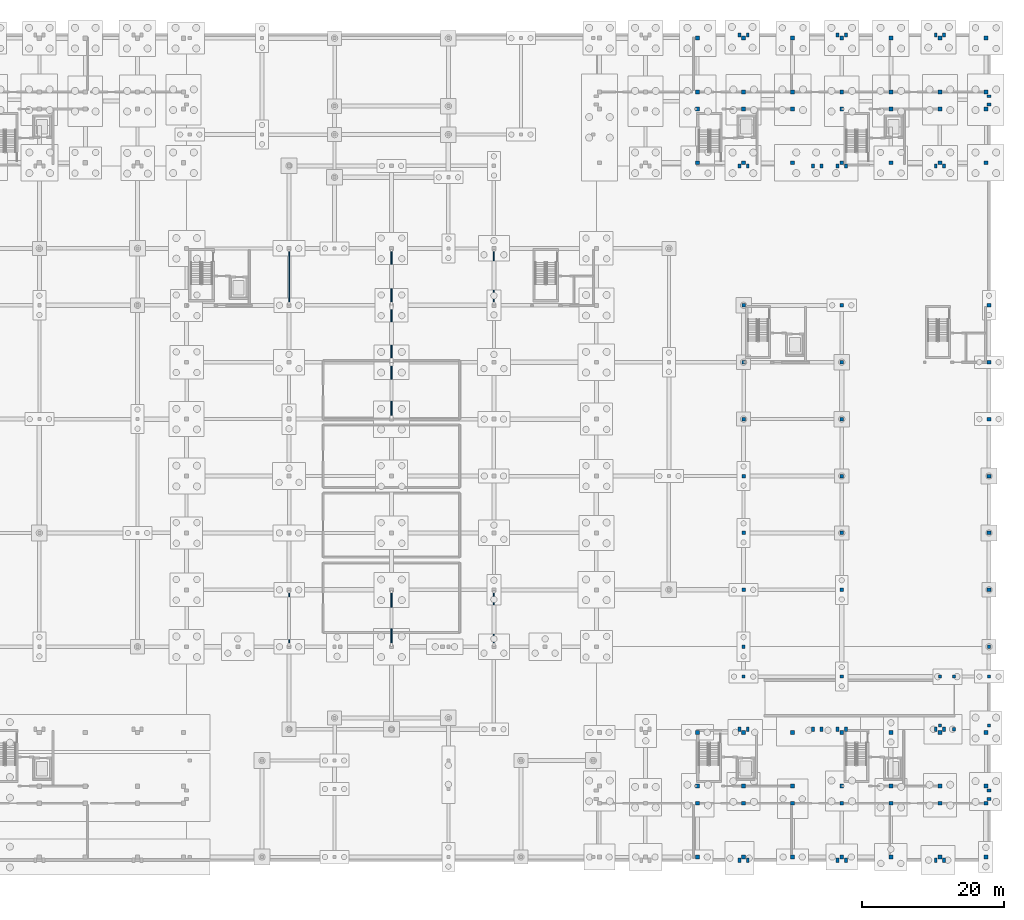
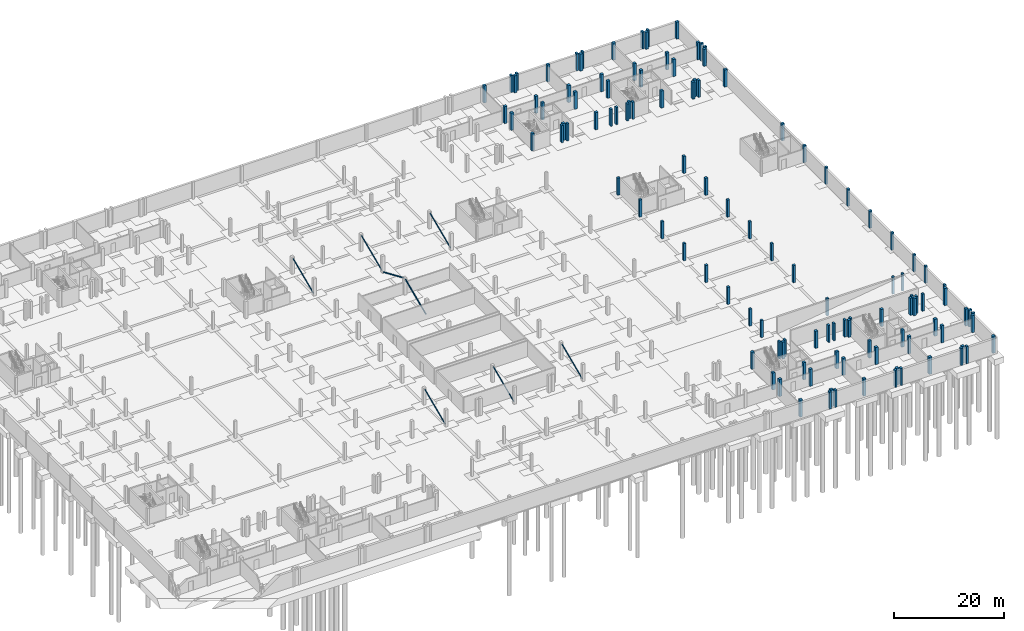
# One storey, part 14 of 38: 116 columns, 8 members.
"""IFC4 building model written with IfcOpenShell, lengths in metres."""

from ifc_helpers import new_model, si_unit, direction, frame, origin, origin_2d, place, context, subcontext, project, spatial, rectangle, hollow_circle, extrude, material, material_profile, profile_set, type_object, element, save


model = new_model("IFC4")

# Units and contexts
model_context = context("Model", 3, precision=1e-05, world=origin(), true_north=direction((0.0, 1.0)))
body_context = subcontext(model_context, "Body", "Model", "MODEL_VIEW")
ifc_project = project(units=[si_unit("LENGTHUNIT", "METRE"), si_unit("AREAUNIT", "SQUARE_METRE"), si_unit("VOLUMEUNIT", "CUBIC_METRE"), si_unit("PLANEANGLEUNIT", "RADIAN"), si_unit("MASSUNIT", "GRAM", prefix="KILO")], contexts=[model_context])

# Site, building, storey
site_placement = place(None, origin())
site = spatial("IfcSite", under=ifc_project, at=site_placement, CompositionType="ELEMENT")
building_placement = place(site_placement, origin())
building = spatial("IfcBuilding", under=site, at=building_placement, Name="Zavelmont Quarter", CompositionType="ELEMENT")
storey_placement = place(building_placement, frame((0.0, 0.0, -3.800048828125)))
storey = spatial("IfcBuildingStorey", under=building, at=storey_placement, Name="B01", CompositionType="ELEMENT", Elevation=-3.800048828125)

# Columns
ifc_material_1 = material(Name="Concrete C40/50", Category="concrete")
ifc_material_profile_1 = material_profile(ifc_material_1, rectangle(XDim=0.550048828125, YDim=0.550048828125, at=origin_2d()), Name="RC550X550")
ifc_profile_set_1 = profile_set([ifc_material_profile_1], Name="Concrete C40/50")
column_type_1 = type_object("IfcColumnType", Name="CL02", PredefinedType="COLUMN", material=ifc_profile_set_1)
for number, where, z_axis, x_axis, name in (
    (1, (127.0400390625, 98.0400390625, 0.0), (0.0, 0.0, 1.0), (1.0, 0.0, 0.0), "B01 column CL02 at 19/P"),
    (2, (127.0400390625, 105.60009765625, 0.0), (0.0, 0.0, 1.0), (1.0, 0.0, 0.0), "B01 column CL02 at 19/Q"),
    (3, (127.0400390625, 108.0, 0.0), (0.0, 0.0, 1.0), (1.0, 0.0, 0.0), "B01 column CL02 at 19/R"),
    (4, (127.0400390625, 115.56005859375, 0.0), (0.0, 0.0, 1.0), (1.0, 0.0, 0.0), "B01 column CL02 at 19/S"),
    (5, (133.5, 98.0400390625, 0.0), (0.0, 0.0, 1.0), (1.0, 0.0, 0.0), "B01 column CL02 at 20/P"),
    (6, (133.5, 105.60009765625, 0.0), (0.0, 0.0, 1.0), (1.0, 0.0, 0.0), "B01 column CL02 at 20/Q"),
    (7, (133.5, 108.0, 0.0), (0.0, 0.0, 1.0), (1.0, 0.0, 0.0), "B01 column CL02 at 20/R"),
    (8, (133.5, 115.56005859375, 0.0), (0.0, 0.0, 1.0), (1.0, 0.0, 0.0), "B01 column CL02 at 20/S"),
    (9, (140.39990234375, 98.0400390625, 0.0), (0.0, 0.0, 1.0), (1.0, 0.0, 0.0), "B01 column CL02 at 21/P"),
    (10, (140.39990234375, 105.60009765625, 0.0), (0.0, 0.0, 1.0), (1.0, 0.0, 0.0), "B01 column CL02 at 21/Q"),
    (11, (140.39990234375, 108.0, 0.0), (0.0, 0.0, 1.0), (1.0, 0.0, 0.0), "B01 column CL02 at 21/R"),
    (12, (140.39990234375, 115.56005859375, 0.0), (0.0, 0.0, 1.0), (1.0, 0.0, 0.0), "B01 column CL02 at 21/S"),
    (13, (147.300048828125, 98.0400390625, 0.0), (0.0, 0.0, 1.0), (1.0, 0.0, 0.0), "B01 column CL02 at 22/P"),
    (14, (147.300048828125, 105.60009765625, 0.0), (0.0, 0.0, 1.0), (1.0, 0.0, 0.0), "B01 column CL02 at 22/Q"),
    (15, (147.300048828125, 108.0, 0.0), (0.0, 0.0, 1.0), (1.0, 0.0, 0.0), "B01 column CL02 at 22/R"),
    (16, (147.300048828125, 115.56005859375, 0.0), (0.0, 0.0, 1.0), (1.0, 0.0, 0.0), "B01 column CL02 at 22/S"),
    (17, (154.199951171875, 98.0400390625, 0.0), (0.0, 0.0, 1.0), (1.0, 0.0, 0.0), "B01 column CL02 at 23/P"),
    (18, (154.199951171875, 105.60009765625, 0.0), (0.0, 0.0, 1.0), (1.0, 0.0, 0.0), "B01 column CL02 at 23/Q"),
    (19, (154.199951171875, 108.0, 0.0), (0.0, 0.0, 1.0), (1.0, 0.0, 0.0), "B01 column CL02 at 23/R"),
    (20, (154.199951171875, 115.56005859375, 0.0), (0.0, 0.0, 1.0), (1.0, 0.0, 0.0), "B01 column CL02 at 23/S"),
    (21, (161.10009765625, 98.0400390625, 0.0), (0.0, 0.0, 1.0), (1.0, 0.0, 0.0), "B01 column CL02 at 24/P"),
    (22, (161.10009765625, 105.60009765625, 0.0), (0.0, 0.0, 1.0), (1.0, 0.0, 0.0), "B01 column CL02 at 24/Q"),
    (23, (161.10009765625, 108.0, 0.0), (0.0, 0.0, 1.0), (1.0, 0.0, 0.0), "B01 column CL02 at 24/R"),
    (24, (161.10009765625, 115.56005859375, 0.0), (0.0, 0.0, 1.0), (1.0, 0.0, 0.0), "B01 column CL02 at 24/S"),
    (25, (167.56005859375, 98.0400390625, 0.0), (0.0, 0.0, 1.0), (1.0, 0.0, 0.0), "B01 column CL02 at 25/P"),
    (26, (167.56005859375, 105.60009765625, 0.0), (0.0, 0.0, 1.0), (1.0, 0.0, 0.0), "B01 column CL02 at 25/Q"),
    (27, (167.56005859375, 108.0, 0.0), (0.0, 0.0, 1.0), (1.0, 0.0, 0.0), "B01 column CL02 at 25/R"),
    (28, (167.56005859375, 115.56005859375, 0.0), (0.0, 0.0, 1.0), (1.0, 0.0, 0.0), "B01 column CL02 at 25/S"),
    (29, (127.0400390625, 0.43994140625, 0.0), (0.0, 0.0, 1.0), (1.0, 0.0, 0.0), "B01 column CL02 at 19/A"),
    (30, (127.0400390625, 8.0, 0.0), (0.0, 0.0, 1.0), (1.0, 0.0, 0.0), "B01 column CL02 at 19/B"),
    (31, (127.0400390625, 10.39990234375, 0.0), (0.0, 0.0, 1.0), (1.0, 0.0, 0.0), "B01 column CL02 at 19/C"),
    (32, (127.0400390625, 17.9599609375, 0.0), (0.0, 0.0, 1.0), (1.0, 0.0, 0.0), "B01 column CL02 at 19/D"),
    (33, (133.5, 0.43994140625, 0.0), (0.0, 0.0, 1.0), (1.0, 0.0, 0.0), "B01 column CL02 at 20/A"),
    (34, (133.5, 8.0, 0.0), (0.0, 0.0, 1.0), (1.0, 0.0, 0.0), "B01 column CL02 at 20/B"),
    (35, (133.5, 10.39990234375, 0.0), (0.0, 0.0, 1.0), (1.0, 0.0, 0.0), "B01 column CL02 at 20/C"),
    (36, (133.5, 17.9599609375, 0.0), (0.0, 0.0, 1.0), (1.0, 0.0, 0.0), "B01 column CL02 at 20/D"),
    (37, (140.39990234375, 0.43994140625, 0.0), (0.0, 0.0, 1.0), (1.0, 0.0, 0.0), "B01 column CL02 at 21/A"),
    (38, (140.39990234375, 8.0, 0.0), (0.0, 0.0, 1.0), (1.0, 0.0, 0.0), "B01 column CL02 at 21/B"),
    (39, (140.39990234375, 10.39990234375, 0.0), (0.0, 0.0, 1.0), (1.0, 0.0, 0.0), "B01 column CL02 at 21/C"),
    (40, (140.39990234375, 17.9599609375, 0.0), (0.0, 0.0, 1.0), (1.0, 0.0, 0.0), "B01 column CL02 at 21/D"),
    (41, (147.300048828125, 0.43994140625, 0.0), (0.0, 0.0, 1.0), (1.0, 0.0, 0.0), "B01 column CL02 at 22/A"),
    (42, (147.300048828125, 8.0, 0.0), (0.0, 0.0, 1.0), (1.0, 0.0, 0.0), "B01 column CL02 at 22/B"),
    (43, (147.300048828125, 10.39990234375, 0.0), (0.0, 0.0, 1.0), (1.0, 0.0, 0.0), "B01 column CL02 at 22/C"),
    (44, (147.300048828125, 17.9599609375, 0.0), (0.0, 0.0, 1.0), (1.0, 0.0, 0.0), "B01 column CL02 at 22/D"),
    (45, (154.199951171875, 0.43994140625, 0.0), (0.0, 0.0, 1.0), (1.0, 0.0, 0.0), "B01 column CL02 at 23/A"),
    (46, (154.199951171875, 8.0, 0.0), (0.0, 0.0, 1.0), (1.0, 0.0, 0.0), "B01 column CL02 at 23/B"),
    (47, (154.199951171875, 10.39990234375, 0.0), (0.0, 0.0, 1.0), (1.0, 0.0, 0.0), "B01 column CL02 at 23/C"),
    (48, (154.199951171875, 17.9599609375, 0.0), (0.0, 0.0, 1.0), (1.0, 0.0, 0.0), "B01 column CL02 at 23/D"),
    (49, (161.10009765625, 0.43994140625, 0.0), (0.0, 0.0, 1.0), (1.0, 0.0, 0.0), "B01 column CL02 at 24/A"),
    (50, (161.10009765625, 8.0, 0.0), (0.0, 0.0, 1.0), (1.0, 0.0, 0.0), "B01 column CL02 at 24/B"),
    (51, (161.10009765625, 10.39990234375, 0.0), (0.0, 0.0, 1.0), (1.0, 0.0, 0.0), "B01 column CL02 at 24/C"),
    (52, (161.10009765625, 17.9599609375, 0.0), (0.0, 0.0, 1.0), (1.0, 0.0, 0.0), "B01 column CL02 at 24/D"),
    (53, (167.56005859375, 0.43994140625, 0.0), (0.0, 0.0, 1.0), (1.0, 0.0, 0.0), "B01 column CL02 at 25/A"),
    (54, (167.56005859375, 8.0, 0.0), (0.0, 0.0, 1.0), (1.0, 0.0, 0.0), "B01 column CL02 at 25/B"),
    (55, (167.56005859375, 10.39990234375, 0.0), (0.0, 0.0, 1.0), (1.0, 0.0, 0.0), "B01 column CL02 at 25/C"),
    (56, (167.56005859375, 17.9599609375, 0.0), (0.0, 0.0, 1.0), (1.0, 0.0, 0.0), "B01 column CL02 at 25/D"),
):
    element("IfcColumn", number, at=place(storey_placement, frame(where, z_axis=z_axis, x_axis=x_axis)), inside=storey, type_object=column_type_1, Name=name, PredefinedType="COLUMN", context=body_context, shape_type="SweptSolid", body=[
        extrude(rectangle(XDim=0.550048828125, YDim=0.550048828125, at=origin_2d()), origin(), (0.0, 0.0, 1.0), 3.800048828125),
    ])
ifc_material_profile_2 = material_profile(ifc_material_1, rectangle(XDim=0.5, YDim=0.5, at=origin_2d()), Name="RC500X500")
ifc_profile_set_2 = profile_set([ifc_material_profile_2], Name="Concrete C40/50")
column_type_2 = type_object("IfcColumnType", Name="CL03", PredefinedType="COLUMN", material=ifc_profile_set_2)
for number, where, z_axis, x_axis, name in (
    (57, (133.5, 38.0, 0.0), (0.0, 0.0, 1.0), (1.0, 0.0, 0.0), "B01 column CL03 at 20/G"),
    (58, (133.5, 46.0, 0.0), (0.0, 0.0, 1.0), (1.0, 0.0, 0.0), "B01 column CL03 at 20/H"),
    (59, (133.5, 54.0, 0.0), (0.0, 0.0, 1.0), (1.0, 0.0, 0.0), "B01 column CL03 at 20/J"),
    (60, (133.5, 62.0, 0.0), (0.0, 0.0, 1.0), (1.0, 0.0, 0.0), "B01 column CL03 at 20/K"),
    (61, (133.5, 70.0, 0.0), (0.0, 0.0, 1.0), (1.0, 0.0, 0.0), "B01 column CL03 at 20/L"),
    (62, (133.5, 78.0, 0.0), (0.0, 0.0, 1.0), (1.0, 0.0, 0.0), "B01 column CL03 at 20/M"),
    (63, (147.300048828125, 38.0, 0.0), (0.0, 0.0, 1.0), (1.0, 0.0, 0.0), "B01 column CL03 at 22/G"),
    (64, (147.300048828125, 46.0, 0.0), (0.0, 0.0, 1.0), (1.0, 0.0, 0.0), "B01 column CL03 at 22/H"),
    (65, (147.300048828125, 54.0, 0.0), (0.0, 0.0, 1.0), (1.0, 0.0, 0.0), "B01 column CL03 at 22/J"),
    (66, (147.300048828125, 62.0, 0.0), (0.0, 0.0, 1.0), (1.0, 0.0, 0.0), "B01 column CL03 at 22/K"),
    (67, (147.300048828125, 70.0, 0.0), (0.0, 0.0, 1.0), (1.0, 0.0, 0.0), "B01 column CL03 at 22/L"),
    (68, (147.300048828125, 78.0, 0.0), (0.0, 0.0, 1.0), (1.0, 0.0, 0.0), "B01 column CL03 at 22/M"),
    (69, (168.0, 38.0, 0.0), (0.0, 0.0, 1.0), (1.0, 0.0, 0.0), "B01 column CL03 at 25/G"),
    (70, (168.0, 46.0, 0.0), (0.0, 0.0, 1.0), (1.0, 0.0, 0.0), "B01 column CL03 at 25/H"),
    (71, (168.0, 54.0, 0.0), (0.0, 0.0, 1.0), (1.0, 0.0, 0.0), "B01 column CL03 at 25/J"),
    (72, (168.0, 62.0, 0.0), (0.0, 0.0, 1.0), (1.0, 0.0, 0.0), "B01 column CL03 at 25/K"),
    (73, (168.0, 70.0, 0.0), (0.0, 0.0, 1.0), (1.0, 0.0, 0.0), "B01 column CL03 at 25/L"),
    (74, (168.0, 78.0, 0.0), (0.0, 0.0, 1.0), (1.0, 0.0, 0.0), "B01 column CL03 at 25/M"),
):
    element("IfcColumn", number, at=place(storey_placement, frame(where, z_axis=z_axis, x_axis=x_axis)), inside=storey, type_object=column_type_2, Name=name, PredefinedType="COLUMN", context=body_context, shape_type="SweptSolid", body=[
        extrude(rectangle(XDim=0.5, YDim=0.5, at=origin_2d()), origin(), (0.0, 0.0, 1.0), 3.800048828125),
    ])
ifc_material_2 = material(Name="Concrete C35/45", Category="concrete")
ifc_material_profile_3 = material_profile(ifc_material_2, rectangle(XDim=0.449951171875, YDim=0.449951171875, at=origin_2d()), Name="RC450X450")
ifc_profile_set_3 = profile_set([ifc_material_profile_3], Name="Concrete C35/45")
column_type_3 = type_object("IfcColumnType", Name="CL04", PredefinedType="COLUMN", material=ifc_profile_set_3)
for number, where, z_axis, x_axis, name in (
    (75, (133.5, 25.800048828125, 0.0), (0.0, 0.0, 1.0), (1.0, 0.0, 0.0), "B01 column CL04 at 20/E"),
    (76, (147.300048828125, 25.800048828125, 0.0), (0.0, 0.0, 1.0), (1.0, 0.0, 0.0), "B01 column CL04 at 22/E"),
    (77, (161.10009765625, 25.800048828125, 0.0), (0.0, 0.0, 1.0), (1.0, 0.0, 0.0), "B01 column CL04 at 24/E"),
    (78, (163.10009765625, 25.800048828125, 0.0), (0.0, 0.0, 1.0), (1.0, 0.0, 0.0), "B01 column CL04 at 24/E"),
    (79, (168.0, 25.800048828125, 0.0), (0.0, 0.0, 1.0), (1.0, 0.0, 0.0), "B01 column CL04 at 25/E"),
    (80, (163.10009765625, 18.39990234375, 0.0), (0.0, 0.0, 1.0), (1.0, 0.0, 0.0), "B01 column CL04 at 24/D"),
    (81, (161.10009765625, 18.949951171875, 0.0), (0.0, 0.0, 1.0), (1.0, 0.0, 0.0), "B01 column CL04 at 24/D"),
    (82, (168.0, 18.949951171875, 0.0), (0.0, 0.0, 1.0), (1.0, 0.0, 0.0), "B01 column CL04 at 25/D"),
    (83, (133.5, 30.0, 0.0), (0.0, 0.0, 1.0), (1.0, 0.0, 0.0), "B01 column CL04 at 20/F"),
    (84, (168.0, 30.0, 0.0), (0.0, 0.0, 1.0), (1.0, 0.0, 0.0), "B01 column CL04 at 25/F"),
):
    element("IfcColumn", number, at=place(storey_placement, frame(where, z_axis=z_axis, x_axis=x_axis)), inside=storey, type_object=column_type_3, Name=name, PredefinedType="COLUMN", context=body_context, shape_type="SweptSolid", body=[
        extrude(rectangle(XDim=0.449951171875, YDim=0.449951171875, at=origin_2d()), origin(), (0.0, 0.0, 1.0), 3.800048828125),
    ])
ifc_material_profile_4 = material_profile(ifc_material_1, rectangle(XDim=0.39990234375, YDim=0.60009765625, at=origin_2d()), Name="RC400X600")
ifc_profile_set_4 = profile_set([ifc_material_profile_4], Name="Concrete C40/50")
column_type_4 = type_object("IfcColumnType", Name="PL01", PredefinedType="PILASTER", material=ifc_profile_set_4)
for number, where, z_axis, x_axis, name in (
    (85, (132.919921875, 116.0, 0.0), (0.0, 0.0, 1.0), (1.0, 0.0, 0.0), "B01 column PL01 at 20/S"),
    (86, (132.919921875, 97.60009765625, 0.0), (0.0, 0.0, 1.0), (1.0, 0.0, 0.0), "B01 column PL01 at 20/P"),
    (87, (134.080078125, 116.0, 0.0), (0.0, 0.0, 1.0), (1.0, 0.0, 0.0), "B01 column PL01 at 20/S"),
    (88, (134.080078125, 97.60009765625, 0.0), (0.0, 0.0, 1.0), (1.0, 0.0, 0.0), "B01 column PL01 at 20/P"),
    (89, (146.719970703125, 116.0, 0.0), (0.0, 0.0, 1.0), (1.0, 0.0, 0.0), "B01 column PL01 at 22/S"),
    (90, (146.719970703125, 97.60009765625, 0.0), (0.0, 0.0, 1.0), (1.0, 0.0, 0.0), "B01 column PL01 at 22/P"),
    (91, (147.8798828125, 116.0, 0.0), (0.0, 0.0, 1.0), (1.0, 0.0, 0.0), "B01 column PL01 at 22/S"),
    (92, (147.8798828125, 97.60009765625, 0.0), (0.0, 0.0, 1.0), (1.0, 0.0, 0.0), "B01 column PL01 at 22/P"),
    (93, (160.52001953125, 116.0, 0.0), (0.0, 0.0, 1.0), (1.0, 0.0, 0.0), "B01 column PL01 at 24/S"),
    (94, (160.52001953125, 97.60009765625, 0.0), (0.0, 0.0, 1.0), (1.0, 0.0, 0.0), "B01 column PL01 at 24/P"),
    (95, (161.679931640625, 116.0, 0.0), (0.0, 0.0, 1.0), (1.0, 0.0, 0.0), "B01 column PL01 at 24/S"),
    (96, (161.679931640625, 97.60009765625, 0.0), (0.0, 0.0, 1.0), (1.0, 0.0, 0.0), "B01 column PL01 at 24/P"),
    (97, (143.27001953125, 97.60009765625, 0.0), (0.0, 0.0, 1.0), (1.0, 0.0, 0.0), "B01 column PL01 at 21/P"),
    (98, (144.429931640625, 97.60009765625, 0.0), (0.0, 0.0, 1.0), (1.0, 0.0, 0.0), "B01 column PL01 at 22/P"),
    (99, (168.0, 106.219970703125, 0.0), (0.0, 0.0, 1.0), (0.0, 1.0, 0.0), "B01 column PL01 at 25/Q"),
    (100, (168.0, 107.3798828125, 0.0), (0.0, 0.0, 1.0), (0.0, 1.0, 0.0), "B01 column PL01 at 25/R"),
    (101, (132.919921875, 0.0, 0.0), (0.0, 0.0, 1.0), (1.0, 0.0, 0.0), "B01 column PL01 at 20/A"),
    (102, (132.919921875, 18.39990234375, 0.0), (0.0, 0.0, 1.0), (1.0, 0.0, 0.0), "B01 column PL01 at 20/D"),
    (103, (134.080078125, 0.0, 0.0), (0.0, 0.0, 1.0), (1.0, 0.0, 0.0), "B01 column PL01 at 20/A"),
    (104, (134.080078125, 18.39990234375, 0.0), (0.0, 0.0, 1.0), (1.0, 0.0, 0.0), "B01 column PL01 at 20/D"),
    (105, (146.719970703125, 0.0, 0.0), (0.0, 0.0, 1.0), (1.0, 0.0, 0.0), "B01 column PL01 at 22/A"),
    (106, (146.719970703125, 18.39990234375, 0.0), (0.0, 0.0, 1.0), (1.0, 0.0, 0.0), "B01 column PL01 at 22/D"),
    (107, (147.8798828125, 0.0, 0.0), (0.0, 0.0, 1.0), (1.0, 0.0, 0.0), "B01 column PL01 at 22/A"),
    (108, (147.8798828125, 18.39990234375, 0.0), (0.0, 0.0, 1.0), (1.0, 0.0, 0.0), "B01 column PL01 at 22/D"),
    (109, (160.52001953125, 0.0, 0.0), (0.0, 0.0, 1.0), (1.0, 0.0, 0.0), "B01 column PL01 at 24/A"),
    (110, (160.52001953125, 18.39990234375, 0.0), (0.0, 0.0, 1.0), (1.0, 0.0, 0.0), "B01 column PL01 at 24/D"),
    (111, (161.679931640625, 0.0, 0.0), (0.0, 0.0, 1.0), (1.0, 0.0, 0.0), "B01 column PL01 at 24/A"),
    (112, (161.679931640625, 18.39990234375, 0.0), (0.0, 0.0, 1.0), (1.0, 0.0, 0.0), "B01 column PL01 at 24/D"),
    (113, (143.27001953125, 18.39990234375, 0.0), (0.0, 0.0, 1.0), (1.0, 0.0, 0.0), "B01 column PL01 at 21/D"),
    (114, (144.429931640625, 18.39990234375, 0.0), (0.0, 0.0, 1.0), (1.0, 0.0, 0.0), "B01 column PL01 at 22/D"),
    (115, (168.0, 8.6201171875, 0.0), (0.0, 0.0, 1.0), (0.0, 1.0, 0.0), "B01 column PL01 at 25/B"),
    (116, (168.0, 9.780029296875, 0.0), (0.0, 0.0, 1.0), (0.0, 1.0, 0.0), "B01 column PL01 at 25/C"),
):
    element("IfcColumn", number, at=place(storey_placement, frame(where, z_axis=z_axis, x_axis=x_axis)), inside=storey, type_object=column_type_4, Name=name, PredefinedType="PILASTER", context=body_context, shape_type="SweptSolid", body=[
        extrude(rectangle(XDim=0.39990234375, YDim=0.60009765625, at=origin_2d()), origin(), (0.0, 0.0, 1.0), 3.800048828125),
    ])

# Members
ifc_material_3 = material(Name="Steel S355", Category="steel")
ifc_material_profile_5 = material_profile(ifc_material_3, hollow_circle(Radius=0.136474609375, WallThickness=0.012451171875, at=origin_2d()), Name="CHS 273X12.5")
ifc_profile_set_5 = profile_set([ifc_material_profile_5], Name="Steel S355")
member_type_1 = type_object("IfcMemberType", Name="BR01", PredefinedType="BRACE", material=ifc_profile_set_5)
for number, where, z_axis, x_axis, name in (
    (117, (84.0, 62.280029296875, 0.239990234375), (0.0, 0.917735716211, 0.397191584994), (-1.0, 0.0, 0.0), "B01 member BR01 13/K to 13/L"),
    (118, (84.0, 70.280029296875, 3.4599609375), (0.0, 0.917735716211, -0.397191584994), (-1.0, 0.0, 0.0), "B01 member BR01 13/L to 13/M"),
):
    element("IfcMember", number, at=place(storey_placement, frame(where, z_axis=z_axis, x_axis=x_axis)), inside=storey, type_object=member_type_1, Name=name, PredefinedType="BRACE", context=body_context, shape_type="SweptSolid", body=[
        extrude(hollow_circle(Radius=0.136474609375, WallThickness=0.012451171875, at=origin_2d()), origin(), (0.0, 0.0, 1.0), 8.10693359375),
    ])
ifc_material_profile_6 = material_profile(ifc_material_3, hollow_circle(Radius=0.109619140625, WallThickness=0.010009765625, at=origin_2d()), Name="CHS 219.1X10")
ifc_profile_set_6 = profile_set([ifc_material_profile_6], Name="Steel S355")
member_type_2 = type_object("IfcMemberType", Name="BR02", PredefinedType="BRACE", material=ifc_profile_set_6)
for number, where, z_axis, x_axis, name in (
    (119, (69.60009765625, 30.280029296875, 0.239990234375), (0.0, 0.917735716211, 0.397191584994), (-1.0, 0.0, 0.0), "B01 member BR02 11/F to 11/G"),
    (120, (69.60009765625, 78.280029296875, 0.239990234375), (0.0, 0.917735716211, 0.397191584994), (-1.0, 0.0, 0.0), "B01 member BR02 11/M to 11/N"),
    (121, (84.0, 30.280029296875, 0.239990234375), (0.0, 0.917735716211, 0.397191584994), (-1.0, 0.0, 0.0), "B01 member BR02 13/F to 13/G"),
    (122, (84.0, 78.280029296875, 0.239990234375), (0.0, 0.917735716211, 0.397191584994), (-1.0, 0.0, 0.0), "B01 member BR02 13/M to 13/N"),
    (123, (98.39990234375, 30.280029296875, 0.239990234375), (0.0, 0.917735716211, 0.397191584994), (-1.0, 0.0, 0.0), "B01 member BR02 15/F to 15/G"),
    (124, (98.39990234375, 78.280029296875, 0.239990234375), (0.0, 0.917735716211, 0.397191584994), (-1.0, 0.0, 0.0), "B01 member BR02 15/M to 15/N"),
):
    element("IfcMember", number, at=place(storey_placement, frame(where, z_axis=z_axis, x_axis=x_axis)), inside=storey, type_object=member_type_2, Name=name, PredefinedType="BRACE", context=body_context, shape_type="SweptSolid", body=[
        extrude(hollow_circle(Radius=0.109619140625, WallThickness=0.010009765625, at=origin_2d()), origin(), (0.0, 0.0, 1.0), 8.10693359375),
    ])

save(model, "model.ifc")
